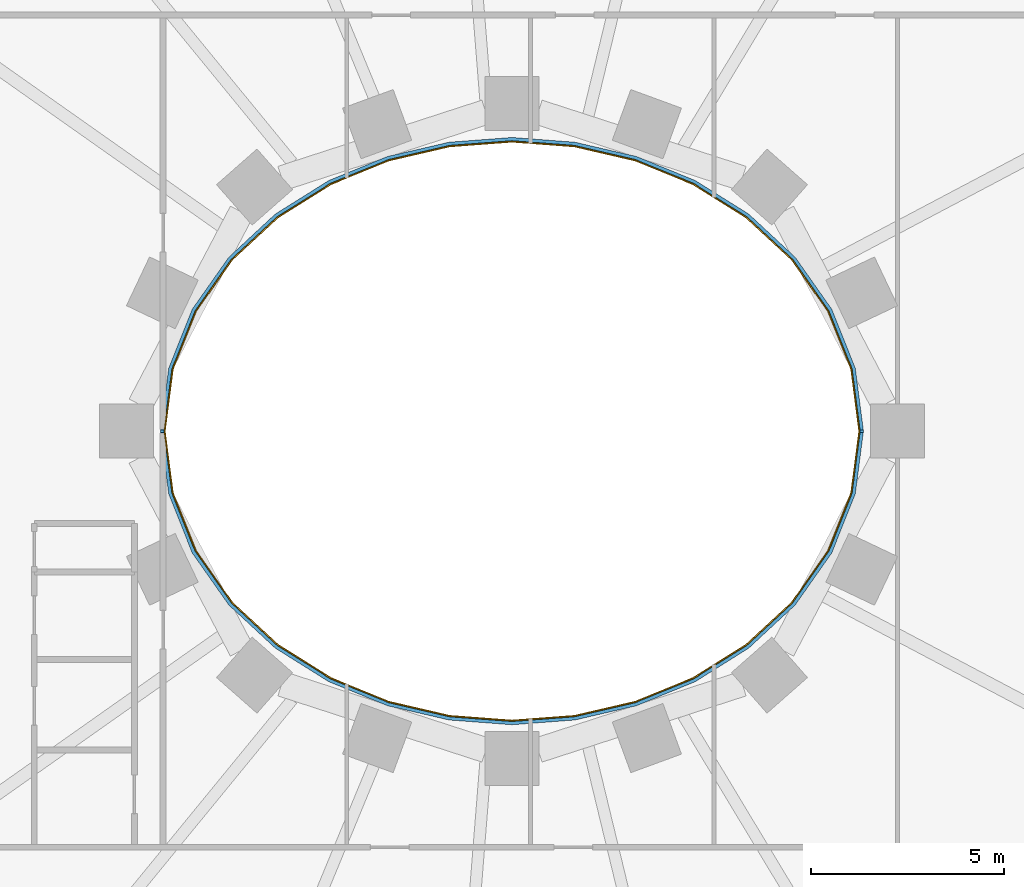
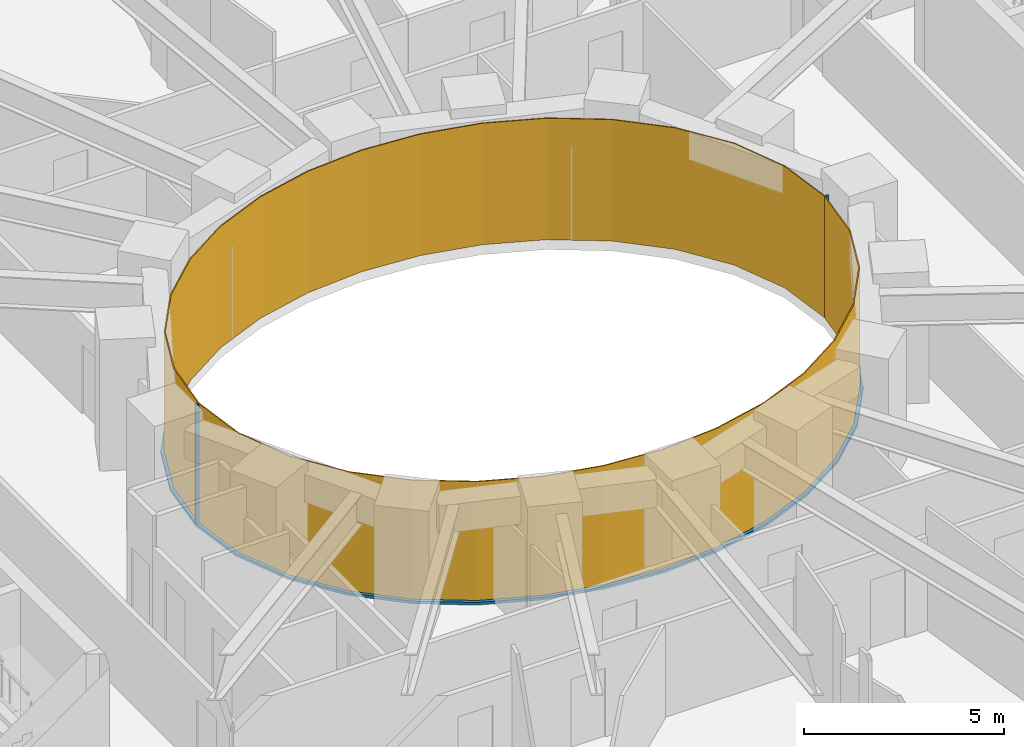
# One storey, part 10 of 15: 4 members, 2 curtain walls.
"""IFC4 building model written with IfcOpenShell, lengths in metres."""

from ifc_helpers import new_model, si_unit, direction, frame, origin, origin_2d, place, context, subcontext, project, spatial, polyline, rectangle, outline, extrude, material, layer, layer_set, material_profile, profile_set, type_object, element, aggregate, save


model = new_model("IFC4")

# Units and contexts
model_context = context("Model", 3, precision=1e-05, world=origin(), true_north=direction((0.0, 1.0)))
body_context = subcontext(model_context, "Body", "Model", "MODEL_VIEW")
ifc_project = project(units=[si_unit("LENGTHUNIT", "METRE"), si_unit("AREAUNIT", "SQUARE_METRE"), si_unit("VOLUMEUNIT", "CUBIC_METRE"), si_unit("PLANEANGLEUNIT", "RADIAN"), si_unit("MASSUNIT", "GRAM", prefix="KILO")], contexts=[model_context])

# Member
ifc_material_1 = material(Name="Steel S355 fire-resisting frame", Category="steel")
ifc_material_profile = material_profile(ifc_material_1, rectangle(XDim=0.090087890625, YDim=0.06005859375, at=origin_2d()), Name="90x60")
ifc_profile_set = profile_set([ifc_material_profile], Name="Steel S355 fire-resisting frame")
member_type_1 = type_object("IfcMemberType", Name="ENV-MULLION-W-90", PredefinedType="MULLION", material=ifc_profile_set)
site_placement = place(None, origin())
building_placement = place(site_placement, origin())
storey_placement = place(building_placement, frame((0.0, 0.0, 38.5)))
member_1_placement = place(storey_placement, frame((9.076904296875, 0.0, 0.0), z_axis=(0.0, 0.0, 1.0), x_axis=(1.0, 0.0, 0.0)))
member_1 = element("IfcMember", 1, at=member_1_placement, type_object=member_type_1, Name="Mullion W well vertex 01", PredefinedType="MULLION", context=body_context, shape_type="SweptSolid", body=[
    extrude(rectangle(XDim=0.090087890625, YDim=0.06005859375, at=origin_2d()), origin(), (0.0, 0.0, 1.0), 3.699951171875),
])

member_2_placement = place(storey_placement, frame((-9.076904296875, 0.0, 0.0), z_axis=(0.0, 0.0, 1.0), x_axis=(-1.0, 0.0, 0.0)))
member_2 = element("IfcMember", 2, at=member_2_placement, type_object=member_type_1, Name="Mullion W well vertex 17", PredefinedType="MULLION", context=body_context, shape_type="SweptSolid", body=[
    extrude(rectangle(XDim=0.090087890625, YDim=0.06005859375, at=origin_2d()), origin(), (0.0, 0.0, 1.0), 3.699951171875),
])

ifc_material_2 = material(Name="Steel S355 fire-resisting frame", Category="steel")
member_type_2 = type_object("IfcMemberType", Name="ENV-TRANSOM-W", PredefinedType="USERDEFINED", material=ifc_material_2)
member_3_placement = place(storey_placement, origin())
member_3 = element("IfcMember", 3, at=member_3_placement, type_object=member_type_2, Name="Transom W well 01-17", ObjectType="TRANSOM", PredefinedType="USERDEFINED", context=body_context, shape_type="SweptSolid", body=[
    extrude(outline(polyline([(9.119384765625, 0.02783203125), (8.910400390625, 1.63623046875), (8.29833984375, 3.167236328125), (7.35107421875, 4.5146484375), (6.1455078125, 5.6337890625), (4.75341796875, 6.50634765625), (3.233642578125, 7.127685546875), (1.635498046875, 7.498779296875), (0.0, 7.622314453125), (-1.635498046875, 7.498779296875), (-3.233642578125, 7.127685546875), (-4.75341796875, 6.50634765625), (-6.1455078125, 5.6337890625), (-7.35107421875, 4.5146484375), (-8.29833984375, 3.167236328125), (-8.910400390625, 1.63623046875), (-9.119384765625, 0.02783203125), (-9.02880859375, 0.02783203125), (-8.822509765625, 1.61328125), (-8.21875, 3.124267578125), (-7.282958984375, 4.455078125), (-6.090576171875, 5.56201171875), (-4.712158203125, 6.426025390625), (-3.206298828125, 7.04150390625), (-1.621826171875, 7.40966796875), (0.0, 7.531982421875), (1.621826171875, 7.40966796875), (3.206298828125, 7.04150390625), (4.712158203125, 6.426025390625), (6.090576171875, 5.56201171875), (7.282958984375, 4.455078125), (8.21875, 3.124267578125), (8.822509765625, 1.61328125), (9.02880859375, 0.02783203125), (9.119384765625, 0.02783203125)])), origin(), (0.0, 0.0, 1.0), 0.080078125),
])

member_4_placement = place(storey_placement, origin())
member_4 = element("IfcMember", 4, at=member_4_placement, type_object=member_type_2, Name="Transom W well 17-01", ObjectType="TRANSOM", PredefinedType="USERDEFINED", context=body_context, shape_type="SweptSolid", body=[
    extrude(outline(polyline([(-9.119384765625, -0.02783203125), (-8.910400390625, -1.63623046875), (-8.29833984375, -3.167236328125), (-7.35107421875, -4.5146484375), (-6.1455078125, -5.6337890625), (-4.75341796875, -6.50634765625), (-3.233642578125, -7.127685546875), (-1.635498046875, -7.498779296875), (0.0, -7.622314453125), (1.635498046875, -7.498779296875), (3.233642578125, -7.127685546875), (4.75341796875, -6.50634765625), (6.1455078125, -5.6337890625), (7.35107421875, -4.5146484375), (8.29833984375, -3.167236328125), (8.910400390625, -1.63623046875), (9.119384765625, -0.02783203125), (9.02880859375, -0.02783203125), (8.822509765625, -1.61328125), (8.21875, -3.124267578125), (7.282958984375, -4.455078125), (6.090576171875, -5.56201171875), (4.712158203125, -6.426025390625), (3.206298828125, -7.04150390625), (1.621826171875, -7.40966796875), (0.0, -7.531982421875), (-1.621826171875, -7.40966796875), (-3.206298828125, -7.04150390625), (-4.712158203125, -6.426025390625), (-6.090576171875, -5.56201171875), (-7.282958984375, -4.455078125), (-8.21875, -3.124267578125), (-8.822509765625, -1.61328125), (-9.02880859375, -0.02783203125), (-9.119384765625, -0.02783203125)])), origin(), (0.0, 0.0, 1.0), 0.080078125),
])

# Site, building, storey
site = spatial("IfcSite", under=ifc_project, at=site_placement, CompositionType="ELEMENT")
building = spatial("IfcBuilding", under=site, at=building_placement, Name="Noorbagh Ring Tower", CompositionType="ELEMENT")
storey = spatial("IfcBuildingStorey", under=building, at=storey_placement, Name="L07", CompositionType="ELEMENT", Elevation=38.5)

# Curtain wall
ifc_material_3 = material(Name="Glass fire-resisting E60 laminated", Category="glass")
ifc_layer = layer(ifc_material_3, 0.031982421875)
ifc_layer_set = layer_set([ifc_layer], Name="Glass fire-resisting E60 laminated")
curtain_wall_type = type_object("IfcCurtainWallType", Name="ENV-CW-W", PredefinedType="NOTDEFINED", material=ifc_layer_set)
curtain_wall_1_placement = place(storey_placement, origin())
curtain_wall_1 = element("IfcCurtainWall", 5, at=curtain_wall_1_placement, inside=storey, type_object=curtain_wall_type, Name="Curtain wall W W01", PredefinedType="NOTDEFINED", context=body_context, shape_type="SweptSolid", body=[
    extrude(outline(polyline([(9.0322265625, 0.0), (8.822509765625, 1.61328125), (8.21875, 3.124267578125), (7.282958984375, 4.455078125), (6.090576171875, 5.56201171875), (4.712158203125, 6.426025390625), (3.206298828125, 7.04150390625), (1.621826171875, 7.40966796875), (0.0, 7.531982421875), (-1.621826171875, 7.40966796875), (-3.206298828125, 7.04150390625), (-4.712158203125, 6.426025390625), (-6.090576171875, 5.56201171875), (-7.282958984375, 4.455078125), (-8.21875, 3.124267578125), (-8.822509765625, 1.61328125), (-9.0322265625, 0.0), (-9.0, 0.0), (-8.79150390625, 1.605224609375), (-8.1904296875, 3.10888671875), (-7.2587890625, 4.43408203125), (-6.071044921875, 5.53662109375), (-4.697509765625, 6.3974609375), (-3.196533203125, 7.010986328125), (-1.6171875, 7.3779296875), (0.0, 7.5), (1.6171875, 7.3779296875), (3.196533203125, 7.010986328125), (4.697509765625, 6.3974609375), (6.071044921875, 5.53662109375), (7.2587890625, 4.43408203125), (8.1904296875, 3.10888671875), (8.79150390625, 1.605224609375), (9.0, 0.0), (9.0322265625, 0.0)])), origin(), (0.0, 0.0, 1.0), 3.699951171875),
])

aggregate(curtain_wall_1, [member_1, member_2, member_3])

curtain_wall_2_placement = place(storey_placement, origin())
curtain_wall_2 = element("IfcCurtainWall", 6, at=curtain_wall_2_placement, inside=storey, type_object=curtain_wall_type, Name="Curtain wall W W17", PredefinedType="NOTDEFINED", context=body_context, shape_type="SweptSolid", body=[
    extrude(outline(polyline([(-9.0322265625, 0.0), (-8.822509765625, -1.61328125), (-8.21875, -3.124267578125), (-7.282958984375, -4.455078125), (-6.090576171875, -5.56201171875), (-4.712158203125, -6.426025390625), (-3.206298828125, -7.04150390625), (-1.621826171875, -7.40966796875), (0.0, -7.531982421875), (1.621826171875, -7.40966796875), (3.206298828125, -7.04150390625), (4.712158203125, -6.426025390625), (6.090576171875, -5.56201171875), (7.282958984375, -4.455078125), (8.21875, -3.124267578125), (8.822509765625, -1.61328125), (9.0322265625, 0.0), (9.0, 0.0), (8.79150390625, -1.605224609375), (8.1904296875, -3.10888671875), (7.2587890625, -4.43408203125), (6.071044921875, -5.53662109375), (4.697509765625, -6.3974609375), (3.196533203125, -7.010986328125), (1.6171875, -7.3779296875), (0.0, -7.5), (-1.6171875, -7.3779296875), (-3.196533203125, -7.010986328125), (-4.697509765625, -6.3974609375), (-6.071044921875, -5.53662109375), (-7.2587890625, -4.43408203125), (-8.1904296875, -3.10888671875), (-8.79150390625, -1.605224609375), (-9.0, 0.0), (-9.0322265625, 0.0)])), origin(), (0.0, 0.0, 1.0), 3.699951171875),
])

aggregate(curtain_wall_2, [member_4])

save(model, "model.ifc")
